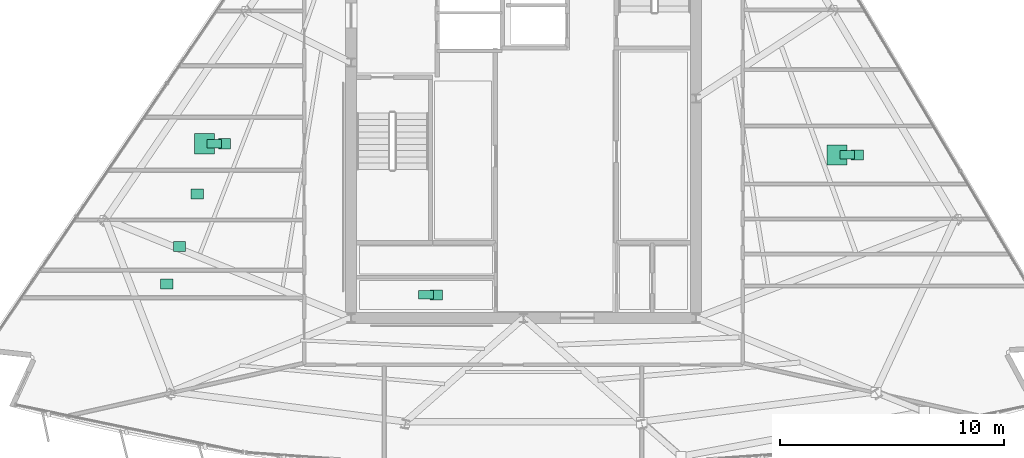
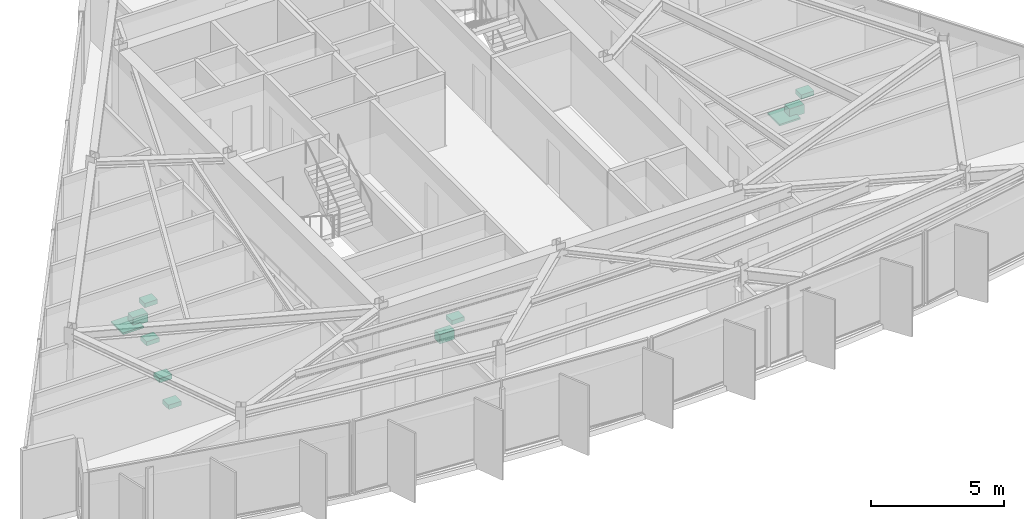
# One storey, part 13 of 13: 11 sanitary terminals.
"""IFC4 building model written with IfcOpenShell, lengths in metres."""

from ifc_helpers import new_model, si_unit, direction, frame, origin, origin_2d, place, context, subcontext, project, spatial, rectangle, extrude, material, type_object, element, save


model = new_model("IFC4")

# Units and contexts
model_context = context("Model", 3, precision=1e-05, world=origin(), true_north=direction((0.0, 1.0)))
body_context = subcontext(model_context, "Body", "Model", "MODEL_VIEW")
ifc_project = project(units=[si_unit("LENGTHUNIT", "METRE"), si_unit("AREAUNIT", "SQUARE_METRE"), si_unit("VOLUMEUNIT", "CUBIC_METRE"), si_unit("PLANEANGLEUNIT", "RADIAN"), si_unit("MASSUNIT", "GRAM", prefix="KILO")], contexts=[model_context])

# Site, building, storey
site_placement = place(None, origin())
site = spatial("IfcSite", under=ifc_project, at=site_placement, CompositionType="ELEMENT")
building_placement = place(site_placement, origin())
building = spatial("IfcBuilding", under=site, at=building_placement, Name="Savorim Split Tower", CompositionType="ELEMENT")
storey_placement = place(building_placement, frame((0.0, 0.0, 258.0)))
storey = spatial("IfcBuildingStorey", under=building, at=storey_placement, Name="L68", CompositionType="ELEMENT", Elevation=258.0)

# Sanitary terminals
ifc_material = material(Name="Vitreous China Sanitaryware")
sanitary_terminal_type_1 = type_object("IfcSanitaryTerminalType", Name="SAN-SHW-900", PredefinedType="SHOWER", material=ifc_material)
for number, where, z_axis, x_axis, name in (
    (1, (-14.241943359375, -1.621337890625, 0.0), (0.0, 0.0, 1.0), (1.0, 0.0, 0.0), "L68 Shared Bathroom Shower"),
    (2, (13.99560546875, -2.123779296875, 0.0), (0.0, 0.0, 1.0), (1.0, 0.0, 0.0), "L68 Shared Bathroom Shower"),
):
    element("IfcSanitaryTerminal", number, at=place(storey_placement, frame(where, z_axis=z_axis, x_axis=x_axis)), inside=storey, type_object=sanitary_terminal_type_1, Name=name, PredefinedType="SHOWER", context=body_context, shape_type="SweptSolid", body=[
        extrude(rectangle(XDim=0.89990234375, YDim=0.89990234375, at=origin_2d()), origin(), (0.0, 0.0, 1.0), 0.080078125),
    ])
sanitary_terminal_type_2 = type_object("IfcSanitaryTerminalType", Name="SAN-WC-PAN", PredefinedType="TOILETPAN", material=ifc_material)
for number, where, z_axis, x_axis, name in (
    (3, (-4.35009765625, -8.3701171875, 0.0), (0.0, 0.0, 1.0), (1.0, 0.0, 0.0), "L68 Public WC WC Pan"),
    (4, (-13.7919921875, -1.621337890625, 0.0), (0.0, 0.0, 1.0), (1.0, 0.0, 0.0), "L68 Shared Bathroom WC Pan"),
    (5, (14.44580078125, -2.123779296875, 0.0), (0.0, 0.0, 1.0), (1.0, 0.0, 0.0), "L68 Shared Bathroom WC Pan"),
):
    element("IfcSanitaryTerminal", number, at=place(storey_placement, frame(where, z_axis=z_axis, x_axis=x_axis)), inside=storey, type_object=sanitary_terminal_type_2, Name=name, PredefinedType="TOILETPAN", context=body_context, shape_type="SweptSolid", body=[
        extrude(rectangle(XDim=0.64990234375, YDim=0.3798828125, at=origin_2d()), origin(), (0.0, 0.0, 1.0), 0.419921875),
    ])
sanitary_terminal_type_3 = type_object("IfcSanitaryTerminalType", Name="SAN-WHB-550", PredefinedType="WASHHANDBASIN", material=ifc_material)
for number, where, z_axis, x_axis, name in (
    (6, (-3.89990234375, -8.3701171875, 0.72021484375), (0.0, 0.0, 1.0), (1.0, 0.0, 0.0), "L68 Public WC Washhand Basin"),
    (7, (-13.341796875, -1.621337890625, 0.72021484375), (0.0, 0.0, 1.0), (1.0, 0.0, 0.0), "L68 Shared Bathroom Washhand Basin"),
    (8, (-14.555419921875, -3.866455078125, 0.75), (0.0, 0.0, 1.0), (1.0, 0.0, 0.0), "L68 Shared Kitchen Utility Sink"),
    (9, (-15.349853515625, -6.201416015625, 0.75), (0.0, 0.0, 1.0), (1.0, 0.0, 0.0), "L68 Shared Kitchen Utility Sink"),
    (10, (-15.92138671875, -7.88232421875, 0.75), (0.0, 0.0, 1.0), (1.0, 0.0, 0.0), "L68 Community Laundry Room Utility Sink"),
    (11, (14.895751953125, -2.123779296875, 0.72021484375), (0.0, 0.0, 1.0), (1.0, 0.0, 0.0), "L68 Shared Bathroom Washhand Basin"),
):
    element("IfcSanitaryTerminal", number, at=place(storey_placement, frame(where, z_axis=z_axis, x_axis=x_axis)), inside=storey, type_object=sanitary_terminal_type_3, Name=name, PredefinedType="WASHHANDBASIN", context=body_context, shape_type="SweptSolid", body=[
        extrude(rectangle(XDim=0.550048828125, YDim=0.449951171875, at=origin_2d()), origin(), (0.0, 0.0, 1.0), 0.199951171875),
    ])

save(model, "model.ifc")
